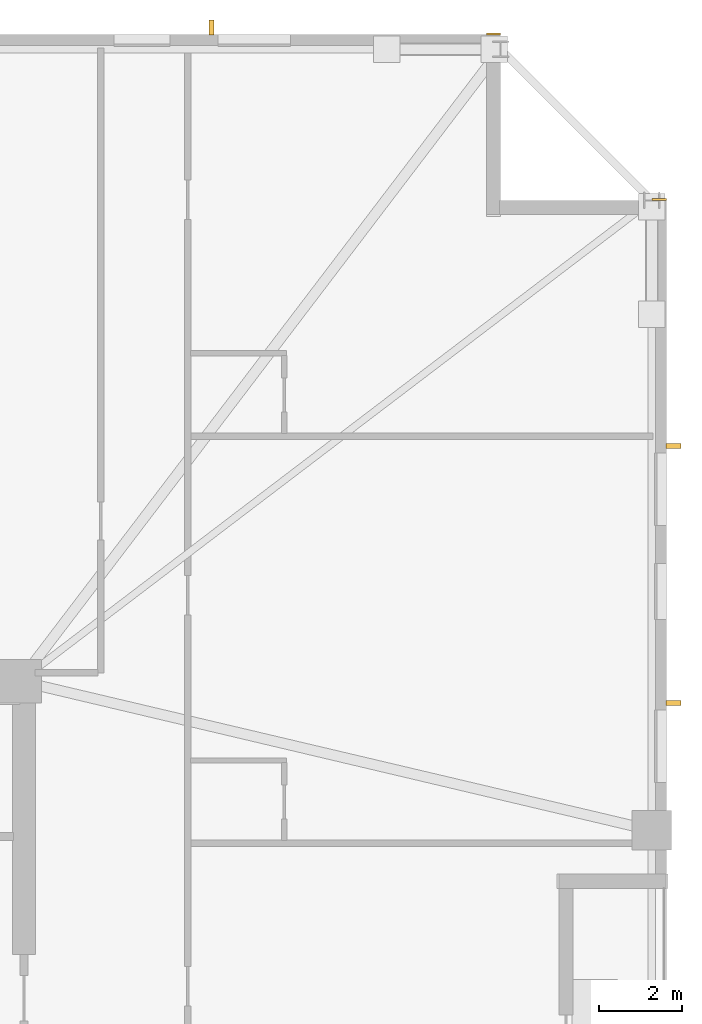
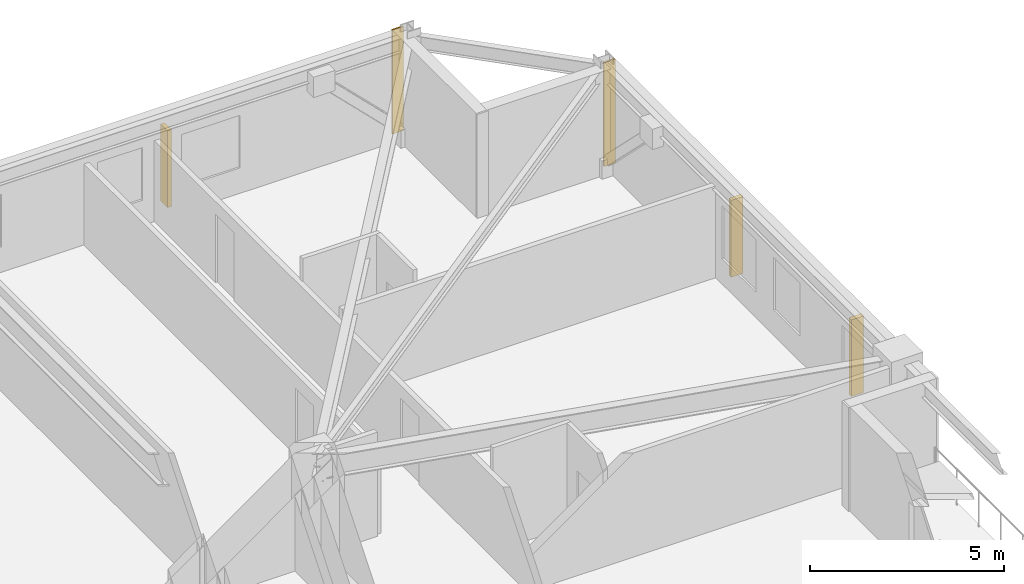
# One storey, part 10 of 10: 3 shading devices, 2 coverings.
"""IFC4 building model written with IfcOpenShell, lengths in metres."""

from ifc_helpers import new_model, si_unit, direction, frame, frame_2d, origin, origin_2d, place, context, subcontext, project, spatial, rectangle, extrude, material, layer, layer_set, type_object, element, save


model = new_model("IFC4")

# Units and contexts
model_context = context("Model", 3, precision=1e-05, world=origin(), true_north=direction((0.0, 1.0)))
body_context = subcontext(model_context, "Body", "Model", "MODEL_VIEW")
ifc_project = project(units=[si_unit("LENGTHUNIT", "METRE"), si_unit("AREAUNIT", "SQUARE_METRE"), si_unit("VOLUMEUNIT", "CUBIC_METRE"), si_unit("PLANEANGLEUNIT", "RADIAN"), si_unit("MASSUNIT", "GRAM", prefix="KILO")], contexts=[model_context])

# Site, building, storey
site_placement = place(None, origin())
site = spatial("IfcSite", under=ifc_project, at=site_placement, CompositionType="ELEMENT")
building_placement = place(site_placement, origin())
building = spatial("IfcBuilding", under=site, at=building_placement, Name="Cairnveth Concourse Tower", CompositionType="ELEMENT")
storey_placement = place(building_placement, frame((0.0, 0.0, 186.5)))
storey = spatial("IfcBuildingStorey", under=building, at=storey_placement, Name="L51", CompositionType="ELEMENT", Elevation=186.5)

# Coverings
ifc_material_1 = material(Name="Dressed Melbourne Bluestone Cladding", Category="masonry")
ifc_layer = layer(ifc_material_1, 0.050048828125)
ifc_layer_set = layer_set([ifc_layer], Name="Dressed Melbourne Bluestone Cladding")
covering_type = type_object("IfcCoveringType", Name="DRESSED BLUESTONE PLINTH CLADDING 50", PredefinedType="CLADDING", material=ifc_layer_set)
for number, where, z_axis, x_axis, name in (
    (1, (71.659912109375, 63.02001953125, 0.0), (0.0, 0.0, 1.0), (1.0, 0.0, 0.0), "Melbourne Bluestone Corner Quoin L51-765"),
    (2, (75.659912109375, 59.02001953125, 0.0), (0.0, 0.0, 1.0), (1.0, 0.0, 0.0), "Melbourne Bluestone Corner Quoin L51-767"),
):
    element("IfcCovering", number, at=place(storey_placement, frame(where, z_axis=z_axis, x_axis=x_axis)), inside=storey, type_object=covering_type, Name=name, PredefinedType="CLADDING", context=body_context, shape_type="SweptSolid", body=[
        extrude(rectangle(XDim=0.340087890625, YDim=0.050048828125, at=frame_2d((0.169921875, 0.0))), origin(), (0.0, 0.0, 1.0), 3.280029296875),
    ])

# Shading devices
ifc_material_2 = material(Name="Architectural Bronze Anodised Aluminium 6063-T6", Category="aluminium")
shading_device_type = type_object("IfcShadingDeviceType", Name="GOTHIC BRONZE VERTICAL LANCET FIN", PredefinedType="USERDEFINED", material=ifc_material_2)
for number, where, z_axis, x_axis, name in (
    (3, (65.020263671875, 63.175048828125, 0.030029296875), (0.0, 0.0, 1.0), (1.0, 0.0, 0.0), "Gothic Bronze Vertical Fin L51-9-9"),
    (4, (76.175048828125, 53.0712890625, 0.030029296875), (0.0, 0.0, 1.0), (0.0, 1.0, 0.0), "Gothic Bronze Vertical Fin L51-12-1"),
    (5, (76.175048828125, 46.86669921875, 0.030029296875), (0.0, 0.0, 1.0), (0.0, 1.0, 0.0), "Gothic Bronze Vertical Fin L51-12-3"),
):
    element("IfcShadingDevice", number, at=place(storey_placement, frame(where, z_axis=z_axis, x_axis=x_axis)), inside=storey, type_object=shading_device_type, Name=name, ObjectType="VERTICAL FIN", PredefinedType="USERDEFINED", context=body_context, shape_type="SweptSolid", body=[
        extrude(rectangle(XDim=0.1201171875, YDim=0.360107421875, at=origin_2d()), origin(), (0.0, 0.0, 1.0), 2.419921875),
    ])

save(model, "model.ifc")
